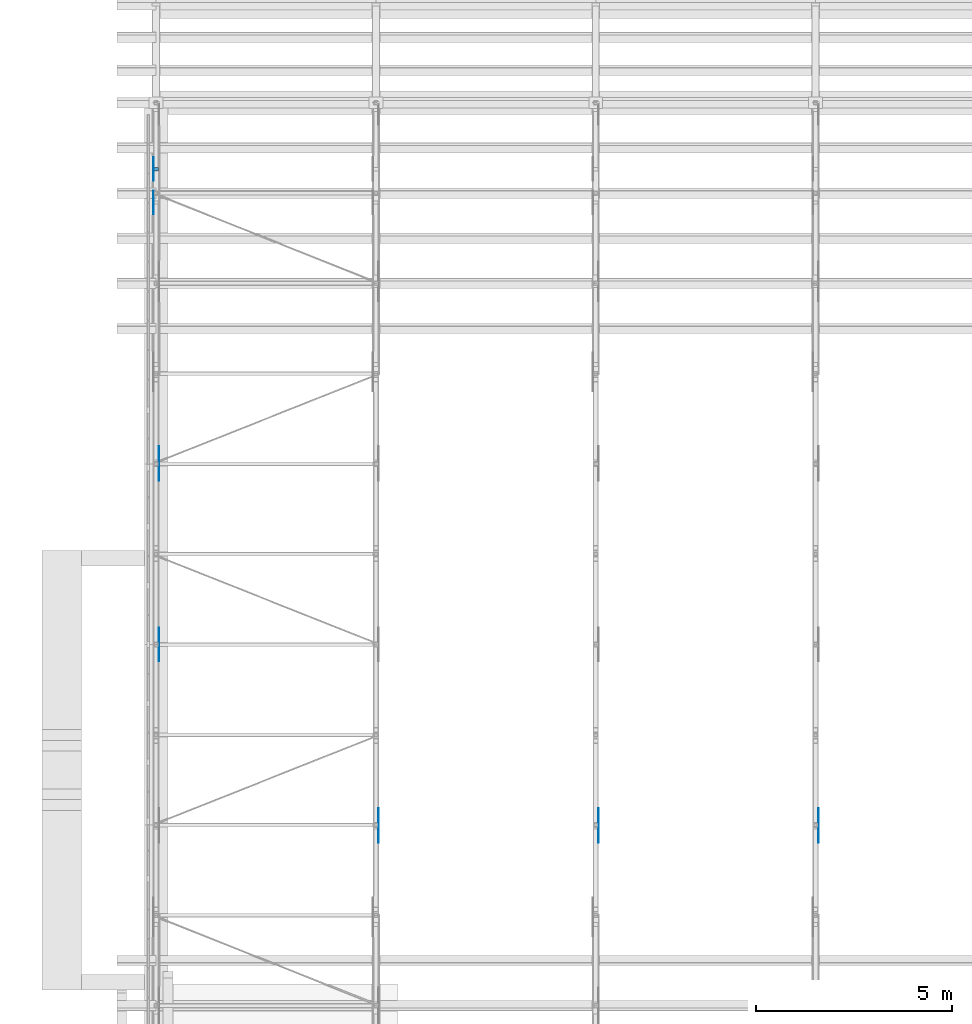
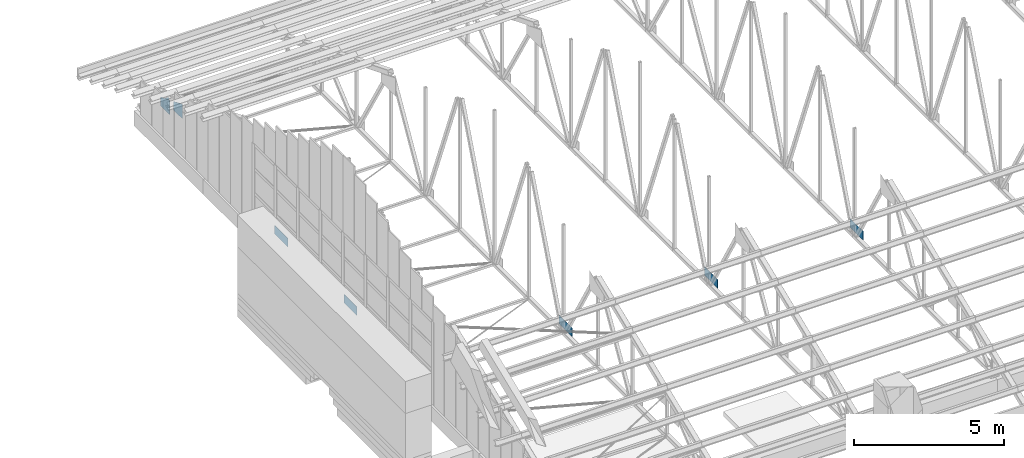
# One storey, part 53 of 71: 8 discrete accessories.
"""IFC4 building model written with IfcOpenShell, lengths in metres."""

from ifc_helpers import new_model, si_unit, direction, frame, origin, origin_2d, place, context, subcontext, project, spatial, polyline, rectangle, outline, extrude, element, save


model = new_model("IFC4")

# Units and contexts
model_context = context("Model", 3, precision=1e-05, world=origin(), true_north=direction((0.0, 1.0)))
body_context = subcontext(model_context, "Body", "Model", "MODEL_VIEW")
ifc_project = project(units=[si_unit("LENGTHUNIT", "METRE"), si_unit("AREAUNIT", "SQUARE_METRE"), si_unit("VOLUMEUNIT", "CUBIC_METRE"), si_unit("PLANEANGLEUNIT", "RADIAN"), si_unit("MASSUNIT", "GRAM", prefix="KILO")], contexts=[model_context])

# Site, building, storey
site_placement = place(None, origin())
site = spatial("IfcSite", under=ifc_project, at=site_placement, CompositionType="ELEMENT")
building_placement = place(site_placement, origin())
building = spatial("IfcBuilding", under=site, at=building_placement, Name="Wasatch Bagh Community Centre", CompositionType="ELEMENT")
storey_placement = place(building_placement, frame((0.0, 0.0, 12.60009765625)))
storey = spatial("IfcBuildingStorey", under=building, at=storey_placement, Name="L03", CompositionType="ELEMENT", Elevation=12.60009765625)

# Discrete accessories
discrete_accessory_1_placement = place(storey_placement, frame((112.199951171875, 64.114990234375, 1.971923828125), z_axis=(0.0, -0.774865020772, 0.632126727472), x_axis=(1.0, 0.0, 0.0)))
element("IfcDiscreteAccessory", 1, at=discrete_accessory_1_placement, inside=storey, Name="SH.SA1.WB12.EPB", PredefinedType="NOTDEFINED", context=body_context, shape_type="SweptSolid", body=[
    extrude(rectangle(XDim=0.126953125, YDim=0.126953125, at=origin_2d()), origin(), (0.0, 0.0, 1.0), 0.011962890625),
])
discrete_accessory_2_placement = place(storey_placement, frame((112.27587890625, 51.57568359375, 0.7626953125), z_axis=(1.0, 0.0, 0.0), x_axis=(0.0, 1.0, 0.0)))
element("IfcDiscreteAccessory", 2, at=discrete_accessory_2_placement, inside=storey, Name="Gusset plate", PredefinedType="BRACKET", context=body_context, shape_type="SweptSolid", body=[
    extrude(outline(polyline([(0.0, 0.0), (0.8486328125, 0.0), (0.8486328125, 0.35009765625), (0.0, 0.35009765625), (0.0, 0.0)])), origin(), (0.0, 0.0, -1.0), 0.011962890625),
])
discrete_accessory_3_placement = place(storey_placement, frame((112.27587890625, 56.175048828125, 0.7626953125), z_axis=(1.0, 0.0, 0.0), x_axis=(0.0, 1.0, 0.0)))
element("IfcDiscreteAccessory", 3, at=discrete_accessory_3_placement, inside=storey, Name="Gusset plate", PredefinedType="BRACKET", context=body_context, shape_type="SweptSolid", body=[
    extrude(outline(polyline([(0.0, 0.0), (0.877197265625, 0.0), (0.877197265625, 0.35009765625), (0.0, 0.35009765625), (0.0, 0.0)])), origin(), (0.0, 0.0, -1.0), 0.011962890625),
])
discrete_accessory_4_placement = place(storey_placement, frame((112.1240234375, 62.958740234375, 2.508056640625), z_axis=(-1.0, 0.0, 0.0), x_axis=(0.0, 0.925978809353, -0.377575482028)))
element("IfcDiscreteAccessory", 4, at=discrete_accessory_4_placement, inside=storey, Name="Gusset plate", PredefinedType="BRACKET", context=body_context, shape_type="SweptSolid", body=[
    extrude(outline(polyline([(0.0, 0.0), (0.5845271621312353, -2.7755575615628914e-17), (0.6477253398659776, -0.00019486601058962827), (0.7799136311813485, 0.3239881448811994), (0.22446198699646316, 0.5504781251893349), (0.0, 0.0)])), origin(), (0.0, 0.0, -1.0), 0.011962890625),
])
discrete_accessory_5_placement = place(storey_placement, frame((112.1240234375, 63.81494140625, 2.1591796875), z_axis=(-1.0, 0.0, 0.0), x_axis=(0.0, 0.926014333695, -0.377488349212)))
element("IfcDiscreteAccessory", 5, at=discrete_accessory_5_placement, inside=storey, Name="Gusset plate", PredefinedType="BRACKET", context=body_context, shape_type="SweptSolid", body=[
    extrude(outline(polyline([(0.0, 0.0), (0.6480435932943203, -2.7755575615628914e-17), (0.7801092193735699, 0.3239693701624707), (0.22441018806906693, 0.5504992437861941), (0.0, 0.0)])), origin(), (0.0, 0.0, -1.0), 0.011962890625),
])
for number, where, z_axis, x_axis, name in (
    (6, (117.8759765625, 46.94775390625, 0.7626953125), (1.0, 0.0, 0.0), (0.0, 1.0, 0.0), "Gusset plate"),
    (7, (123.47607421875, 46.94775390625, 0.7626953125), (1.0, 0.0, 0.0), (0.0, 1.0, 0.0), "Gusset plate"),
    (8, (129.075927734375, 46.94775390625, 0.7626953125), (1.0, 0.0, 0.0), (0.0, 1.0, 0.0), "Gusset plate"),
):
    element("IfcDiscreteAccessory", number, at=place(storey_placement, frame(where, z_axis=z_axis, x_axis=x_axis)), inside=storey, Name=name, PredefinedType="BRACKET", context=body_context, shape_type="SweptSolid", body=[
        extrude(outline(polyline([(0.0, 0.0), (0.877197265625, 0.0), (0.877197265625, 0.35009765625), (0.0, 0.35009765625), (0.0, 0.0)])), origin(), (0.0, 0.0, -1.0), 0.011962890625),
    ])

save(model, "model.ifc")
